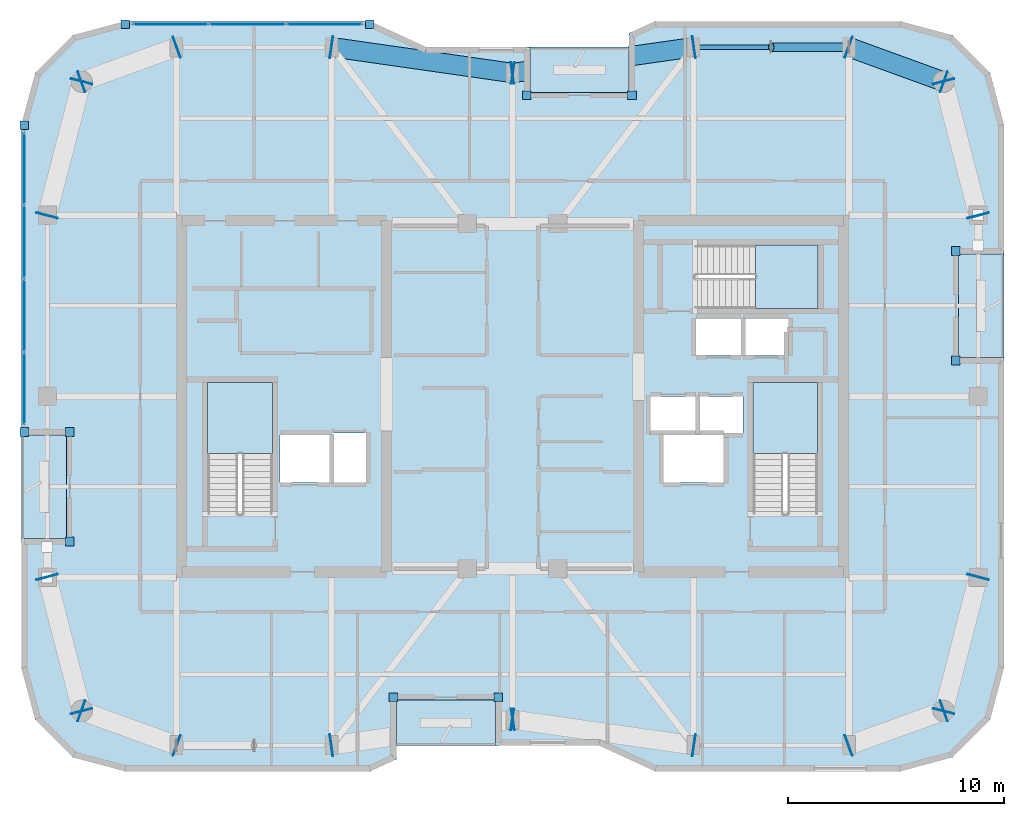
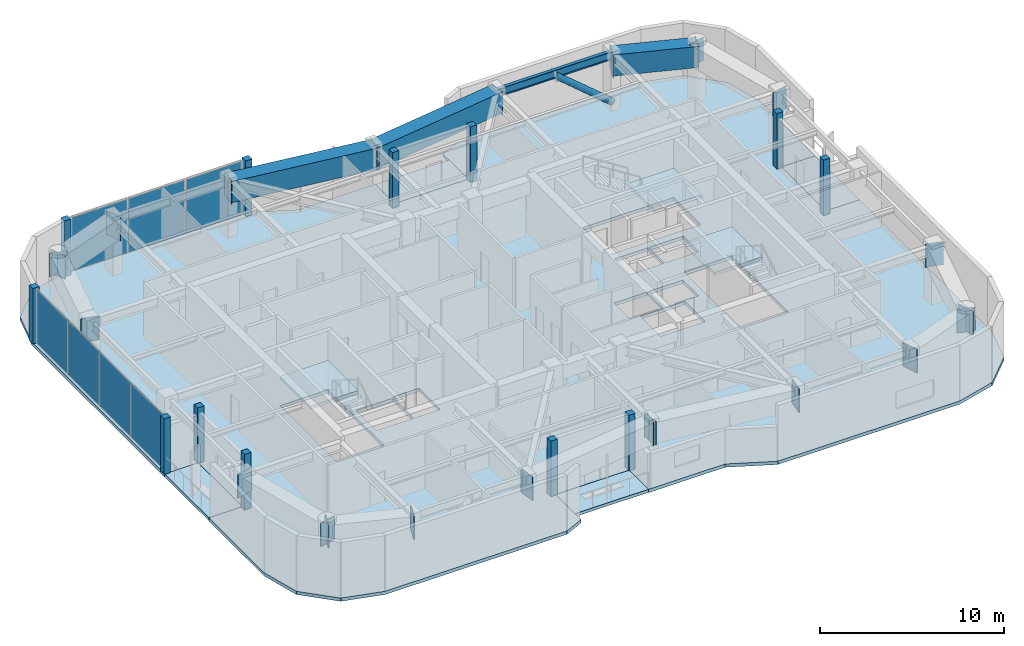
# One storey, part 7 of 15: 43 plates, 8 slabs, 4 beams, 1 member, 5 elements without a shape of their own.
"""IFC4 building model written with IfcOpenShell, lengths in metres."""

from ifc_helpers import new_model, si_unit, direction, frame, origin, origin_2d, place, context, subcontext, project, spatial, polyline, rectangle, hollow_rectangle, hollow_circle, i_section, outline, extrude, material, layer, layer_set, material_profile, profile_set, type_object, element, aggregate, save


model = new_model("IFC4")

# Units and contexts
model_context = context("Model", 3, precision=1e-05, world=origin(), true_north=direction((0.0, 1.0)))
body_context = subcontext(model_context, "Body", "Model", "MODEL_VIEW")
ifc_project = project(units=[si_unit("LENGTHUNIT", "METRE"), si_unit("AREAUNIT", "SQUARE_METRE"), si_unit("VOLUMEUNIT", "CUBIC_METRE"), si_unit("PLANEANGLEUNIT", "RADIAN"), si_unit("MASSUNIT", "GRAM", prefix="KILO")], contexts=[model_context])

# Site, building, storey
site_placement = place(None, origin())
site = spatial("IfcSite", under=ifc_project, at=site_placement, CompositionType="ELEMENT")
building_placement = place(site_placement, origin())
building = spatial("IfcBuilding", under=site, at=building_placement, Name="Kiyonajd Concourse Tower", CompositionType="ELEMENT")
storey_placement = place(building_placement, frame((0.0, 0.0, 321.89990234375)))
storey = spatial("IfcBuildingStorey", under=building, at=storey_placement, Name="L81", CompositionType="ELEMENT", Elevation=321.89990234375)

# Beams
ifc_material_1 = material(Name="Steel ASTM A992 Grade 50", Category="steel")
ifc_material_profile_1 = material_profile(ifc_material_1, i_section(OverallWidth=0.2109375, OverallDepth=0.5390625, WebThickness=0.01171875, FlangeThickness=0.018798828125, at=origin_2d()), Name="W530X109")
ifc_profile_set_1 = profile_set([ifc_material_profile_1], Name="Steel ASTM A992 Grade 50")
beam_type_1 = type_object("IfcBeamType", Name="BM-SPAN-530B", PredefinedType="SPANDREL", material=ifc_profile_set_1)
beam_1_placement = place(storey_placement, frame((63.60009765625, 52.199951171875, 3.41064453125), z_axis=(-1.0, 0.0, 0.0), x_axis=(0.0, -1.0, 0.0)))
element("IfcBeam", 1, at=beam_1_placement, inside=storey, type_object=beam_type_1, Name="L81 Perimeter Bundled Tube Spandrel", PredefinedType="SPANDREL", context=body_context, shape_type="SweptSolid", body=[
    extrude(i_section(OverallWidth=0.2109375, OverallDepth=0.5390625, WebThickness=0.01171875, FlangeThickness=0.018798828125, at=origin_2d()), origin(), (0.0, 0.0, 1.0), 7.2001953125),
])
ifc_material_2 = material(Name="Steel ASTM A572 Grade 50", Category="steel")
ifc_material_profile_2 = material_profile(ifc_material_2, hollow_rectangle(XDim=0.89990234375, YDim=1.39990234375, WallThickness=0.070068359375, at=origin_2d()), Name="BOX-1400x900x70")
ifc_profile_set_2 = profile_set([ifc_material_profile_2], Name="Steel ASTM A572 Grade 50")
beam_type_2 = type_object("IfcBeamType", Name="BM-XFER-1400", PredefinedType="BEAM", material=ifc_profile_set_2)
beam_2_placement = place(storey_placement, frame((68.0, 50.60009765625, 2.97998046875), z_axis=(-0.939801036019, 0.341722127901, 0.0), x_axis=(-0.341722127901, -0.939801036019, 0.0)))
element("IfcBeam", 2, at=beam_2_placement, inside=storey, type_object=beam_type_2, Name="L81 Perimeter Bundled Tube Spandrel", PredefinedType="BEAM", context=body_context, shape_type="SweptSolid", body=[
    extrude(hollow_rectangle(XDim=0.89990234375, YDim=1.39990234375, WallThickness=0.070068359375, at=origin_2d()), origin(), (0.0, 0.0, 1.0), 4.681640625),
])
for number, where, z_axis, x_axis, name in (
    (3, (56.39990234375, 52.199951171875, 2.97998046875), (-0.989950069105, -0.141417328072, 0.0), (0.141417328072, -0.989950069105, 0.0), "L81 Perimeter Bundled Tube Spandrel"),
    (4, (48.0, 51.0, 2.97998046875), (-0.989950069105, 0.141417328072, 0.0), (-0.141417328072, -0.989950069105, 0.0), "L81 Perimeter Bundled Tube Spandrel"),
):
    element("IfcBeam", number, at=place(storey_placement, frame(where, z_axis=z_axis, x_axis=x_axis)), inside=storey, type_object=beam_type_2, Name=name, PredefinedType="BEAM", context=body_context, shape_type="SweptSolid", body=[
        extrude(hollow_rectangle(XDim=0.89990234375, YDim=1.39990234375, WallThickness=0.070068359375, at=origin_2d()), origin(), (0.0, 0.0, 1.0), 8.485107421875),
    ])

# Member
ifc_material_3 = material(Name="Steel ASTM A500 Grade C", Category="steel")
ifc_material_profile_3 = material_profile(ifc_material_3, hollow_circle(Radius=0.202880859375, WallThickness=0.01904296875, at=origin_2d()), Name="CHS-406x19")
ifc_profile_set_3 = profile_set([ifc_material_profile_3], Name="Steel ASTM A500 Grade C")
member_type = type_object("IfcMemberType", Name="MB-PB-HIGH", PredefinedType="BRACE", material=ifc_profile_set_3)
member_placement = place(storey_placement, frame((63.60009765625, 52.199951171875, 0.300048828125), z_axis=(-0.765082043761, 0.0, 0.643932811957), x_axis=(0.0, -1.0, 0.0)))
element("IfcMember", 5, at=member_placement, inside=storey, type_object=member_type, Name="L81 Upper Zone Hollow Tube Brace PBN", PredefinedType="BRACE", context=body_context, shape_type="SweptSolid", body=[
    extrude(hollow_circle(Radius=0.202880859375, WallThickness=0.01904296875, at=origin_2d()), origin(), (0.0, 0.0, 1.0), 4.70556640625),
])

# Plates
ifc_layer_1 = layer(ifc_material_2, 0.031982421875)
ifc_layer_set_1 = layer_set([ifc_layer_1], Name="Steel ASTM A572 Grade 50")
plate_type_1 = type_object("IfcPlateType", Name="PL-CAP-540", PredefinedType="USERDEFINED", material=ifc_layer_set_1)
for number, where, z_axis, x_axis, name in (
    (6, (26.397216796875, 27.610595703125, 2.2099609375), (0.0, 0.0, 1.0), (-0.249873048837, 0.968278606324, 0.0), "L81 Welded Box Girder End Cap"),
    (7, (28.002685546875, 21.389404296875, 2.2099609375), (0.0, 0.0, 1.0), (0.249873048837, -0.968278606324, 0.0), "L81 Welded Box Girder End Cap"),
    (8, (27.98974609375, 21.40380859375, 2.2099609375), (0.0, 0.0, 1.0), (-0.939811951086, 0.341692107891, 0.0), "L81 Welded Box Girder End Cap"),
    (9, (32.410400390625, 19.796142578125, 2.2099609375), (0.0, 0.0, 1.0), (0.939811951086, -0.341692107891, 0.0), "L81 Welded Box Girder End Cap"),
    (10, (39.589111328125, 19.79833984375, 2.2099609375), (0.0, 0.0, 1.0), (-0.989949746297, -0.141419587774, 0.0), "L81 Welded Box Girder End Cap"),
    (11, (48.010986328125, 21.001708984375, 2.2099609375), (0.0, 0.0, 1.0), (0.989949746297, 0.141419587774, 0.0), "L81 Welded Box Girder End Cap"),
    (12, (47.989013671875, 21.001708984375, 2.2099609375), (0.0, 0.0, 1.0), (-0.989949746297, 0.141419587774, 0.0), "L81 Welded Box Girder End Cap"),
    (13, (56.410888671875, 19.79833984375, 2.2099609375), (0.0, 0.0, 1.0), (0.989949746297, -0.141419587774, 0.0), "L81 Welded Box Girder End Cap"),
    (14, (63.589599609375, 19.796142578125, 2.2099609375), (0.0, 0.0, 1.0), (-0.939811951086, -0.341692107891, 0.0), "L81 Welded Box Girder End Cap"),
    (15, (68.01025390625, 21.40380859375, 2.2099609375), (0.0, 0.0, 1.0), (0.939811951086, 0.341692107891, 0.0), "L81 Welded Box Girder End Cap"),
    (16, (67.997314453125, 21.389404296875, 2.2099609375), (0.0, 0.0, 1.0), (-0.249873048837, -0.968278606324, 0.0), "L81 Welded Box Girder End Cap"),
    (17, (69.602783203125, 27.610595703125, 2.2099609375), (0.0, 0.0, 1.0), (0.249873048837, 0.968278606324, 0.0), "L81 Welded Box Girder End Cap"),
    (18, (69.602783203125, 44.389404296875, 2.2099609375), (0.0, 0.0, 1.0), (0.249873048837, -0.968278606324, 0.0), "L81 Welded Box Girder End Cap"),
    (19, (67.997314453125, 50.610595703125, 2.2099609375), (0.0, 0.0, 1.0), (-0.249873048837, 0.968278606324, 0.0), "L81 Welded Box Girder End Cap"),
    (20, (68.01025390625, 50.59619140625, 2.2099609375), (0.0, 0.0, 1.0), (0.939811951086, -0.341692107891, 0.0), "L81 Welded Box Girder End Cap"),
    (21, (63.589599609375, 52.203857421875, 2.2099609375), (0.0, 0.0, 1.0), (-0.939811951086, 0.341692107891, 0.0), "L81 Welded Box Girder End Cap"),
    (22, (56.410888671875, 52.20166015625, 2.2099609375), (0.0, 0.0, 1.0), (0.989949746297, 0.141419587774, 0.0), "L81 Welded Box Girder End Cap"),
    (23, (47.989013671875, 50.998291015625, 2.2099609375), (0.0, 0.0, 1.0), (-0.989949746297, -0.141419587774, 0.0), "L81 Welded Box Girder End Cap"),
    (24, (48.010986328125, 50.998291015625, 2.2099609375), (0.0, 0.0, 1.0), (0.989949746297, -0.141419587774, 0.0), "L81 Welded Box Girder End Cap"),
    (25, (39.589111328125, 52.20166015625, 2.2099609375), (0.0, 0.0, 1.0), (-0.989949746297, 0.141419587774, 0.0), "L81 Welded Box Girder End Cap"),
    (26, (32.410400390625, 52.203857421875, 2.2099609375), (0.0, 0.0, 1.0), (0.939811951086, 0.341692107891, 0.0), "L81 Welded Box Girder End Cap"),
    (27, (27.98974609375, 50.59619140625, 2.2099609375), (0.0, 0.0, 1.0), (-0.939811951086, -0.341692107891, 0.0), "L81 Welded Box Girder End Cap"),
    (28, (28.002685546875, 50.610595703125, 2.2099609375), (0.0, 0.0, 1.0), (0.249873048837, 0.968278606324, 0.0), "L81 Welded Box Girder End Cap"),
    (29, (26.397216796875, 44.389404296875, 2.2099609375), (0.0, 0.0, 1.0), (-0.249873048837, -0.968278606324, 0.0), "L81 Welded Box Girder End Cap"),
):
    element("IfcPlate", number, at=place(storey_placement, frame(where, z_axis=z_axis, x_axis=x_axis)), inside=storey, type_object=plate_type_1, Name=name, ObjectType="CAP PLATE", PredefinedType="USERDEFINED", context=body_context, shape_type="SweptSolid", body=[
        extrude(rectangle(XDim=0.035888671875, YDim=1.02001953125, at=origin_2d()), origin(), (0.0, 0.0, 1.0), 1.5400390625),
    ])

# Curtain wall, plates
ifc_material_4 = material(Name="Thermally Broken Anodised Aluminium", Category="aluminium")
ifc_layer_2 = layer(ifc_material_4, 0.179931640625)
ifc_layer_set_2 = layer_set([ifc_layer_2], Name="Thermally Broken Anodised Aluminium")
curtain_wall_type = type_object("IfcCurtainWallType", Name="CW-SYS-04", PredefinedType="NOTDEFINED", material=ifc_layer_set_2)
curtain_wall_1_placement = place(storey_placement, origin())
curtain_wall_1 = element("IfcCurtainWall", 30, at=curtain_wall_1_placement, inside=storey, type_object=curtain_wall_type, Name="L81 Unitised Curtain Wall CW4", PredefinedType="NOTDEFINED")
ifc_material_5 = material(Name="Double Low-E Insulated Glass", Category="glass")
ifc_layer_3 = layer(ifc_material_5, 0.033935546875)
ifc_layer_set_3 = layer_set([ifc_layer_3], Name="Double Low-E Insulated Glass")
plate_type_2 = type_object("IfcPlateType", Name="PL-CW-VIS34", PredefinedType="CURTAIN_PANEL", material=ifc_layer_set_3)
plate_1_placement = place(storey_placement, frame((25.340087890625, 36.35400390625, 0.06494140625), z_axis=(0.0, 0.0, 1.0), x_axis=(0.0, 1.0, 0.0)))
plate_1 = element("IfcPlate", 31, at=plate_1_placement, type_object=plate_type_2, Name="CW4 panel 1.1", PredefinedType="CURTAIN_PANEL", context=body_context, shape_type="SweptSolid", body=[
    extrude(rectangle(XDim=3.31787109375, YDim=0.033935546875, at=origin_2d()), origin(), (0.0, 0.0, 1.0), 3.550048828125),
])
plate_2_placement = place(storey_placement, frame((25.340087890625, 39.753173828125, 0.06494140625), z_axis=(0.0, 0.0, 1.0), x_axis=(0.0, 1.0, 0.0)))
plate_2 = element("IfcPlate", 32, at=plate_2_placement, type_object=plate_type_2, Name="CW4 panel 2.1", PredefinedType="CURTAIN_PANEL", context=body_context, shape_type="SweptSolid", body=[
    extrude(rectangle(XDim=3.350341796875, YDim=0.033935546875, at=origin_2d()), origin(), (0.0, 0.0, 1.0), 3.550048828125),
])
plate_3_placement = place(storey_placement, frame((25.340087890625, 43.16845703125, 0.06494140625), z_axis=(0.0, 0.0, 1.0), x_axis=(0.0, 1.0, 0.0)))
plate_3 = element("IfcPlate", 33, at=plate_3_placement, type_object=plate_type_2, Name="CW4 panel 3.1", PredefinedType="CURTAIN_PANEL", context=body_context, shape_type="SweptSolid", body=[
    extrude(rectangle(XDim=3.350341796875, YDim=0.033935546875, at=origin_2d()), origin(), (0.0, 0.0, 1.0), 3.550048828125),
])
plate_4_placement = place(storey_placement, frame((25.340087890625, 46.567626953125, 0.06494140625), z_axis=(0.0, 0.0, 1.0), x_axis=(0.0, 1.0, 0.0)))
plate_4 = element("IfcPlate", 34, at=plate_4_placement, type_object=plate_type_2, Name="CW4 panel 4.1", PredefinedType="CURTAIN_PANEL", context=body_context, shape_type="SweptSolid", body=[
    extrude(rectangle(XDim=3.31787109375, YDim=0.033935546875, at=origin_2d()), origin(), (0.0, 0.0, 1.0), 3.550048828125),
])
aggregate(curtain_wall_1, [plate_1, plate_2, plate_3, plate_4])

curtain_wall_2_placement = place(storey_placement, origin())
curtain_wall_2 = element("IfcCurtainWall", 35, at=curtain_wall_2_placement, inside=storey, type_object=curtain_wall_type, Name="L81 Unitised Curtain Wall CW4", PredefinedType="NOTDEFINED")
plate_5_placement = place(storey_placement, frame((32.119873046875, 53.260009765625, 0.06494140625), z_axis=(0.0, 0.0, 1.0), x_axis=(1.0, 0.0, 0.0)))
plate_5 = element("IfcPlate", 36, at=plate_5_placement, type_object=plate_type_2, Name="CW4 panel 1.1", PredefinedType="CURTAIN_PANEL", context=body_context, shape_type="SweptSolid", body=[
    extrude(rectangle(XDim=3.492919921875, YDim=0.033935546875, at=origin_2d()), origin(), (0.0, 0.0, 1.0), 3.550048828125),
])
plate_6_placement = place(storey_placement, frame((35.69384765625, 53.260009765625, 0.06494140625), z_axis=(0.0, 0.0, 1.0), x_axis=(1.0, 0.0, 0.0)))
plate_6 = element("IfcPlate", 37, at=plate_6_placement, type_object=plate_type_2, Name="CW4 panel 2.1", PredefinedType="CURTAIN_PANEL", context=body_context, shape_type="SweptSolid", body=[
    extrude(rectangle(XDim=3.525390625, YDim=0.033935546875, at=origin_2d()), origin(), (0.0, 0.0, 1.0), 3.550048828125),
])
plate_7_placement = place(storey_placement, frame((39.267822265625, 53.260009765625, 0.06494140625), z_axis=(0.0, 0.0, 1.0), x_axis=(1.0, 0.0, 0.0)))
plate_7 = element("IfcPlate", 38, at=plate_7_placement, type_object=plate_type_2, Name="CW4 panel 3.1", PredefinedType="CURTAIN_PANEL", context=body_context, shape_type="SweptSolid", body=[
    extrude(rectangle(XDim=3.492919921875, YDim=0.033935546875, at=origin_2d()), origin(), (0.0, 0.0, 1.0), 3.550048828125),
])
aggregate(curtain_wall_2, [plate_5, plate_6, plate_7])

# Plates
ifc_layer_4 = layer(ifc_material_4, 0.39990234375)
ifc_layer_set_4 = layer_set([ifc_layer_4], Name="Thermally Broken Anodised Aluminium")
plate_type_3 = type_object("IfcPlateType", Name="PL-JMB-400", PredefinedType="USERDEFINED", material=ifc_layer_set_4)
for number, where, z_axis, x_axis, name in (
    (39, (27.43994140625, 29.260009765625, 0.0), (0.0, 0.0, 1.0), (1.0, 0.0, 0.0), "L81 Facade Jamb Closure Plate 01"),
    (40, (27.43994140625, 34.340087890625, 0.0), (0.0, 0.0, 1.0), (1.0, 0.0, 0.0), "L81 Facade Jamb Closure Plate 02"),
    (41, (25.340087890625, 34.340087890625, 0.0), (0.0, 0.0, 1.0), (1.0, 0.0, 0.0), "L81 Facade Jamb Closure Plate 03"),
    (42, (25.340087890625, 48.58154296875, 0.0), (0.0, 0.0, 1.0), (1.0, 0.0, 0.0), "L81 Facade Jamb Closure Plate 04"),
    (43, (30.018310546875, 53.260009765625, 0.0), (0.0, 0.0, 1.0), (1.0, 0.0, 0.0), "L81 Facade Jamb Closure Plate 05"),
    (44, (41.369384765625, 53.260009765625, 0.0), (0.0, 0.0, 1.0), (1.0, 0.0, 0.0), "L81 Facade Jamb Closure Plate 06"),
    (45, (48.659912109375, 49.9599609375, 0.0), (0.0, 0.0, 1.0), (1.0, 0.0, 0.0), "L81 Facade Jamb Closure Plate 07"),
    (46, (53.5400390625, 49.9599609375, 0.0), (0.0, 0.0, 1.0), (1.0, 0.0, 0.0), "L81 Facade Jamb Closure Plate 08"),
    (47, (68.56005859375, 42.739990234375, 0.0), (0.0, 0.0, 1.0), (1.0, 0.0, 0.0), "L81 Facade Jamb Closure Plate 09"),
    (48, (68.56005859375, 37.659912109375, 0.0), (0.0, 0.0, 1.0), (1.0, 0.0, 0.0), "L81 Facade Jamb Closure Plate 10"),
    (49, (47.340087890625, 22.0400390625, 0.0), (0.0, 0.0, 1.0), (1.0, 0.0, 0.0), "L81 Facade Jamb Closure Plate 11"),
    (50, (42.4599609375, 22.0400390625, 0.0), (0.0, 0.0, 1.0), (1.0, 0.0, 0.0), "L81 Facade Jamb Closure Plate 12"),
):
    element("IfcPlate", number, at=place(storey_placement, frame(where, z_axis=z_axis, x_axis=x_axis)), inside=storey, type_object=plate_type_3, Name=name, ObjectType="JAMB PLATE", PredefinedType="USERDEFINED", context=body_context, shape_type="SweptSolid", body=[
        extrude(rectangle(XDim=0.39990234375, YDim=0.39990234375, at=origin_2d()), origin(), (0.0, 0.0, 1.0), 3.679931640625),
    ])

# Stair, slab
ifc_material_6 = material(Name="Concrete C40/50", Category="concrete")
stair_type = type_object("IfcStairType", Name="ST-DLG-22R", PredefinedType="HALF_TURN_STAIR", material=ifc_material_6)
stair_1_placement = place(storey_placement, origin())
stair_1 = element("IfcStair", 51, at=stair_1_placement, inside=storey, type_object=stair_type, Name="L81 Protected Exit Stair ST1", PredefinedType="HALF_TURN_STAIR")
ifc_layer_5 = layer(ifc_material_6, 0.199951171875)
ifc_layer_set_5 = layer_set([ifc_layer_5], Name="Concrete C40/50")
slab_type_1 = type_object("IfcSlabType", Name="SL-LND-200", PredefinedType="LANDING", material=ifc_layer_set_5)
slab_1_placement = place(storey_placement, frame((0.0, 0.0, 1.75)))
slab_1 = element("IfcSlab", 52, at=slab_1_placement, type_object=slab_type_1, Name="ST1 landing 1", PredefinedType="LANDING", context=body_context, shape_type="SweptSolid", body=[
    extrude(outline(polyline([(36.85009765625, 33.35009765625), (36.85009765625, 36.64990234375), (33.85009765625, 36.64990234375), (33.85009765625, 33.35009765625), (36.85009765625, 33.35009765625)])), origin(), (0.0, 0.0, 1.0), 0.2001953125),
])
aggregate(stair_1, [slab_1])

stair_2_placement = place(storey_placement, origin())
stair_2 = element("IfcStair", 53, at=stair_2_placement, inside=storey, type_object=stair_type, Name="L81 Protected Exit Stair ST2", PredefinedType="HALF_TURN_STAIR")
slab_2_placement = place(storey_placement, frame((0.0, 0.0, 1.75)))
slab_2 = element("IfcSlab", 54, at=slab_2_placement, type_object=slab_type_1, Name="ST2 landing 1", PredefinedType="LANDING", context=body_context, shape_type="SweptSolid", body=[
    extrude(outline(polyline([(62.14990234375, 33.35009765625), (62.14990234375, 36.64990234375), (59.14990234375, 36.64990234375), (59.14990234375, 33.35009765625), (62.14990234375, 33.35009765625)])), origin(), (0.0, 0.0, 1.0), 0.2001953125),
])
aggregate(stair_2, [slab_2])

stair_3_placement = place(storey_placement, origin())
stair_3 = element("IfcStair", 55, at=stair_3_placement, inside=storey, type_object=stair_type, Name="L81 Protected Exit Stair ST3", PredefinedType="HALF_TURN_STAIR")
slab_3_placement = place(storey_placement, frame((0.0, 0.0, 1.75)))
slab_3 = element("IfcSlab", 56, at=slab_3_placement, type_object=slab_type_1, Name="ST3 landing 1", PredefinedType="LANDING", context=body_context, shape_type="SweptSolid", body=[
    extrude(outline(polyline([(59.280029296875, 40.080078125), (62.179931640625, 40.080078125), (62.179931640625, 43.02001953125), (59.280029296875, 43.02001953125), (59.280029296875, 40.080078125)])), origin(), (0.0, 0.0, 1.0), 0.2001953125),
])
aggregate(stair_3, [slab_3])

# Slabs
ifc_material_7 = material(Name="Precast concrete C50/60", Category="concrete")
ifc_layer_6 = layer(ifc_material_7, 0.199951171875)
ifc_layer_set_6 = layer_set([ifc_layer_6], Name="Precast concrete C50/60")
slab_type_2 = type_object("IfcSlabType", Name="SL-LOG-200", PredefinedType="FLOOR", material=ifc_layer_set_6)
slab_4_placement = place(storey_placement, frame((0.0, 0.0, -0.199951171875)))
element("IfcSlab", 57, at=slab_4_placement, inside=storey, type_object=slab_type_2, Name="L81 Recessed Engawa Loggia Terrace Slab LOG-S", PredefinedType="FLOOR", context=body_context, shape_type="SweptSolid", body=[
    extrude(outline(polyline([(42.60009765625, 19.800048828125), (47.199951171875, 19.800048828125), (47.199951171875, 21.89990234375), (42.60009765625, 21.89990234375), (42.60009765625, 19.800048828125)])), origin(), (0.0, 0.0, 1.0), 0.199951171875),
])
slab_5_placement = place(storey_placement, frame((0.0, 0.0, -0.199951171875)))
element("IfcSlab", 58, at=slab_5_placement, inside=storey, type_object=slab_type_2, Name="L81 Recessed Engawa Loggia Terrace Slab LOG-N", PredefinedType="FLOOR", context=body_context, shape_type="SweptSolid", body=[
    extrude(outline(polyline([(48.800048828125, 50.10009765625), (53.39990234375, 50.10009765625), (53.39990234375, 52.199951171875), (48.800048828125, 52.199951171875), (48.800048828125, 50.10009765625)])), origin(), (0.0, 0.0, 1.0), 0.199951171875),
])
slab_6_placement = place(storey_placement, frame((0.0, 0.0, -0.199951171875)))
element("IfcSlab", 59, at=slab_6_placement, inside=storey, type_object=slab_type_2, Name="L81 Recessed Engawa Loggia Terrace Slab LOG-W", PredefinedType="FLOOR", context=body_context, shape_type="SweptSolid", body=[
    extrude(outline(polyline([(25.199951171875, 29.39990234375), (27.300048828125, 29.39990234375), (27.300048828125, 34.199951171875), (25.199951171875, 34.199951171875), (25.199951171875, 29.39990234375)])), origin(), (0.0, 0.0, 1.0), 0.199951171875),
])
slab_7_placement = place(storey_placement, frame((0.0, 0.0, -0.199951171875)))
element("IfcSlab", 60, at=slab_7_placement, inside=storey, type_object=slab_type_2, Name="L81 Recessed Engawa Loggia Terrace Slab LOG-E", PredefinedType="FLOOR", context=body_context, shape_type="SweptSolid", body=[
    extrude(outline(polyline([(68.699951171875, 37.800048828125), (70.800048828125, 37.800048828125), (70.800048828125, 42.60009765625), (68.699951171875, 42.60009765625), (68.699951171875, 37.800048828125)])), origin(), (0.0, 0.0, 1.0), 0.199951171875),
])
ifc_layer_7 = layer(ifc_material_6, 0.219970703125)
ifc_layer_set_7 = layer_set([ifc_layer_7], Name="Concrete C40/50")
slab_type_3 = type_object("IfcSlabType", Name="SL-TWR-220", PredefinedType="FLOOR", material=ifc_layer_set_7)
slab_8_placement = place(storey_placement, frame((0.0, 0.0, -0.219970703125)))
element("IfcSlab", 61, at=slab_8_placement, inside=storey, type_object=slab_type_3, Name="L81 Tower Conditioned Floor Slab", PredefinedType="FLOOR", context=body_context, shape_type="SweptSolid", body=[
    extrude(outline(polyline([(25.843017578125, 21.0), (25.199951171875, 23.39990234375), (25.199951171875, 29.39990234375), (27.300048828125, 29.39990234375), (27.300048828125, 34.199951171875), (25.199951171875, 34.199951171875), (25.199951171875, 48.60009765625), (25.843017578125, 51.0), (27.60009765625, 52.757080078125), (30.0, 53.39990234375), (41.39990234375, 53.39990234375), (44.0, 52.199951171875), (48.800048828125, 52.199951171875), (48.800048828125, 50.10009765625), (53.39990234375, 50.10009765625), (53.39990234375, 52.845947265625), (54.60009765625, 53.39990234375), (66.0, 53.39990234375), (68.39990234375, 52.757080078125), (70.156982421875, 51.0), (70.800048828125, 48.60009765625), (70.800048828125, 42.60009765625), (68.699951171875, 42.60009765625), (68.699951171875, 37.800048828125), (70.800048828125, 37.800048828125), (70.800048828125, 23.39990234375), (70.156982421875, 21.0), (68.39990234375, 19.242919921875), (66.0, 18.60009765625), (54.60009765625, 18.60009765625), (52.0, 19.800048828125), (47.199951171875, 19.800048828125), (47.199951171875, 21.89990234375), (42.60009765625, 21.89990234375), (42.60009765625, 19.154052734375), (41.39990234375, 18.60009765625), (30.0, 18.60009765625), (27.60009765625, 19.242919921875), (25.843017578125, 21.0)]), holes=[polyline([(39.5, 32.0), (37.199951171875, 32.0), (37.199951171875, 34.199951171875), (39.5, 34.199951171875), (39.5, 32.0)]), polyline([(57.800048828125, 32.0), (55.0, 32.0), (55.0, 34.199951171875), (57.800048828125, 34.199951171875), (57.800048828125, 32.0)]), polyline([(41.199951171875, 32.0), (39.60009765625, 32.0), (39.60009765625, 34.300048828125), (41.199951171875, 34.300048828125), (41.199951171875, 32.0)]), polyline([(33.85009765625, 30.550048828125), (33.85009765625, 36.64990234375), (36.85009765625, 36.64990234375), (36.85009765625, 30.550048828125), (33.85009765625, 30.550048828125)]), polyline([(59.14990234375, 30.550048828125), (59.14990234375, 36.64990234375), (62.14990234375, 36.64990234375), (62.14990234375, 30.550048828125), (59.14990234375, 30.550048828125)]), polyline([(56.5, 34.300048828125), (54.39990234375, 34.300048828125), (54.39990234375, 36.0), (56.5, 36.0), (56.5, 34.300048828125)]), polyline([(58.699951171875, 34.300048828125), (56.60009765625, 34.300048828125), (56.60009765625, 36.0), (58.699951171875, 36.0), (58.699951171875, 34.300048828125)]), polyline([(58.60009765625, 37.89990234375), (56.5, 37.89990234375), (56.5, 39.60009765625), (58.60009765625, 39.60009765625), (58.60009765625, 37.89990234375)]), polyline([(58.699951171875, 37.89990234375), (58.699951171875, 39.60009765625), (60.800048828125, 39.60009765625), (60.800048828125, 37.89990234375), (58.699951171875, 37.89990234375)]), polyline([(56.47998046875, 43.02001953125), (62.179931640625, 43.02001953125), (62.179931640625, 40.080078125), (56.47998046875, 40.080078125), (56.47998046875, 43.02001953125)])]), origin(), (0.0, 0.0, 1.0), 0.219970703125),
])

save(model, "model.ifc")
